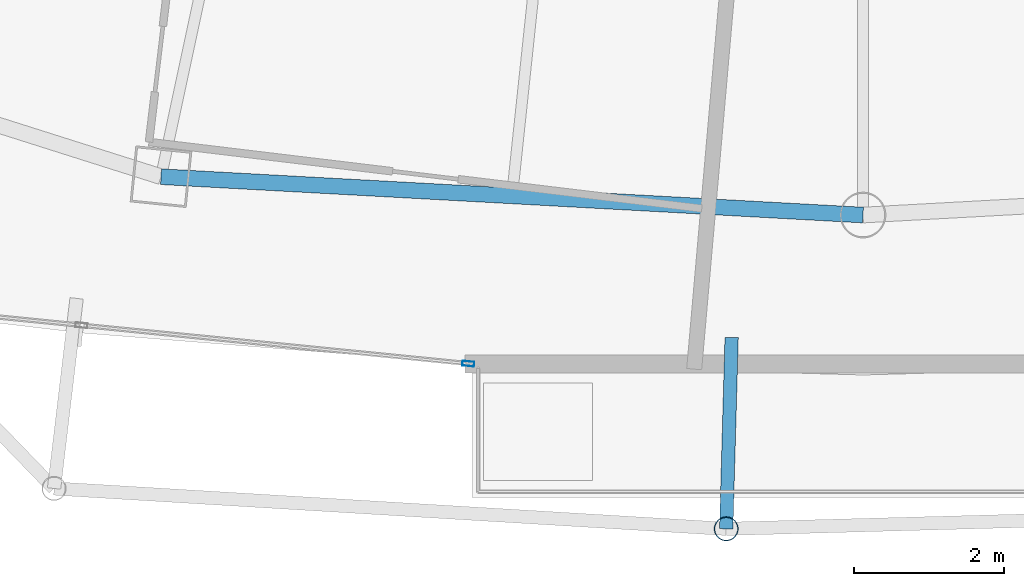
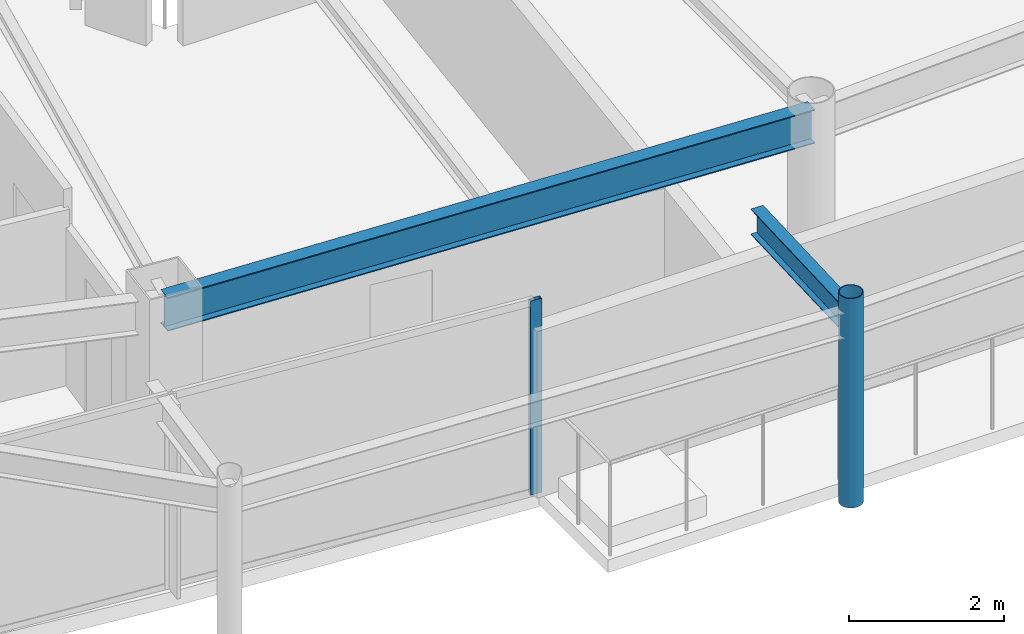
# One storey, part 7 of 32: 2 beams, 2 members, 1 element without a shape of its own.
"""IFC4 building model written with IfcOpenShell, lengths in metres."""

import ifcopenshell
import ifcopenshell.guid

model = None  # the IFC model being written
_history = None  # IfcOwnerHistory: only IFC2X3 demands one
_inside = {}  # id of a spatial element -> (the spatial element, [elements in it])
_under = {}  # id of a project, library or spatial element -> (it, [spatial elements below it])
_declared = {}  # id of a project -> (the project, [libraries it declares])
_typed = {}  # id of a type object -> (the type object, [elements of that type])
_made_of = {}  # id of a material, layer set ... -> (it, [elements and type objects made of it])


def new_model(schema):
    """Start an empty IFC model of exactly this schema.

    Asked for "IFC4X3", IfcOpenShell would pick the latest addendum, in which some entities
    have other attributes; the version numbers below select the first issue.
    IFC2X3 requires an IfcOwnerHistory on every rooted entity: one is made here for all.
    """
    global model, _history
    if schema == "IFC4X3":
        model = ifcopenshell.file(schema_version=(4, 3, 0, 0))
    else:
        model = ifcopenshell.file(schema=schema)
    _inside.clear()
    _under.clear()
    _declared.clear()
    _typed.clear()
    _made_of.clear()
    _history = None
    if model.schema == "IFC2X3":
        org = make("IfcOrganization", Name="unknown")
        user = make(
            "IfcPersonAndOrganization",
            ThePerson=make("IfcPerson", FamilyName="unknown"),
            TheOrganization=org,
        )
        app = make(
            "IfcApplication",
            ApplicationDeveloper=org,
            Version="unknown",
            ApplicationFullName="unknown",
            ApplicationIdentifier="unknown",
        )
        _history = make(
            "IfcOwnerHistory",
            OwningUser=user,
            OwningApplication=app,
            ChangeAction="ADDED",
            CreationDate=0,
        )
    return model


def make(cls, **values):
    """One entity of the class cls with the attributes given. An attribute that is None is left unset."""
    return model.create_entity(
        cls, **{name: value for name, value in values.items() if value is not None}
    )


def rooted(cls, **values):
    """An entity with a GlobalId (a new one), such as an element, a storey or a relation."""
    return make(cls, GlobalId=ifcopenshell.guid.new(), OwnerHistory=_history, **values)


def si_unit(unit_type, name, prefix=None):
    """IfcSIUnit, for example si_unit("LENGTHUNIT", "METRE", prefix="MILLI")."""
    return make("IfcSIUnit", UnitType=unit_type, Prefix=prefix, Name=name)


def assignment(units):
    """IfcUnitAssignment: the units of a project."""
    return None if units is None else make("IfcUnitAssignment", Units=units)


def point(xyz):
    """IfcCartesianPoint."""
    return None if xyz is None else make("IfcCartesianPoint", Coordinates=xyz)


def direction(xyz):
    """IfcDirection."""
    return None if xyz is None else make("IfcDirection", DirectionRatios=xyz)


def frame(location, z_axis=None, x_axis=None):
    """IfcAxis2Placement3D, a coordinate frame: its origin and axes. An axis left out is left unset."""
    return make(
        "IfcAxis2Placement3D",
        Location=point(location),
        Axis=direction(z_axis),
        RefDirection=direction(x_axis),
    )


def frame_2d(location, x_axis=None):
    """IfcAxis2Placement2D, a coordinate frame in the plane: its origin and x axis."""
    return make(
        "IfcAxis2Placement2D", Location=point(location), RefDirection=direction(x_axis)
    )


def origin():
    """The frame at (0, 0, 0) with its axes left unset."""
    return frame((0.0, 0.0, 0.0))


def origin_2d():
    """The frame at (0, 0) in the plane with its x axis left unset."""
    return frame_2d((0.0, 0.0))


def place(relative_to, where):
    """IfcLocalPlacement: puts the frame where relative to a parent placement (None: the world)."""
    return make(
        "IfcLocalPlacement", PlacementRelTo=relative_to, RelativePlacement=where
    )


def context(
    kind, dimensions, precision=None, world=None, true_north=None, identifier=None
):
    """IfcGeometricRepresentationContext, for example the 3D "Model" context."""
    return make(
        "IfcGeometricRepresentationContext",
        ContextIdentifier=identifier,
        ContextType=kind,
        CoordinateSpaceDimension=dimensions,
        Precision=precision,
        WorldCoordinateSystem=world,
        TrueNorth=true_north,
    )


def subcontext(parent, identifier, kind, view, scale=None):
    """IfcGeometricRepresentationSubContext, for example "Body" below "Model"."""
    return make(
        "IfcGeometricRepresentationSubContext",
        ContextIdentifier=identifier,
        ContextType=kind,
        ParentContext=parent,
        TargetScale=scale,
        TargetView=view,
    )


def project(units=None, contexts=None):
    """IfcProject with its units and contexts."""
    return rooted(
        "IfcProject",
        Name="project",
        RepresentationContexts=contexts,
        UnitsInContext=assignment(units),
    )


def spatial(cls, under=None, at=None, **own):
    """A site, building, storey or space (cls), placed at a placement, below another one or the project."""
    s = rooted(cls, ObjectPlacement=at, **own)
    if under is not None:
        _under.setdefault(under.id(), (under, []))[1].append(s)
    return s


def profile(cls, at=None, kind="AREA", **sizes):
    """A parametric profile (cls). Its sizes go by their IFC names, for example OverallWidth=200.0."""
    return make(cls, ProfileType=kind, Position=at, **sizes)


def hollow_rectangle(**sizes):
    """IfcRectangleHollowProfileDef."""
    return profile("IfcRectangleHollowProfileDef", **sizes)


def hollow_circle(**sizes):
    """IfcCircleHollowProfileDef."""
    return profile("IfcCircleHollowProfileDef", **sizes)


def i_section(**sizes):
    """IfcIShapeProfileDef."""
    return profile("IfcIShapeProfileDef", **sizes)


def extrude(swept, where, along, depth):
    """IfcExtrudedAreaSolid: the profile swept, set in the frame where, extruded along a direction by depth."""
    return make(
        "IfcExtrudedAreaSolid",
        SweptArea=swept,
        Position=where,
        ExtrudedDirection=direction(along),
        Depth=depth,
    )


def shape(context_of_items, identifier, shape_type, items):
    """IfcShapeRepresentation: the items that make up one representation, for example the "Body"."""
    return make(
        "IfcShapeRepresentation",
        ContextOfItems=context_of_items,
        RepresentationIdentifier=identifier,
        RepresentationType=shape_type,
        Items=items,
    )


def material(Name=None, Category=None):
    """IfcMaterial."""
    return make("IfcMaterial", Name=Name, Category=Category)


def layer(
    of_material, thickness, ventilated=None, Name=None, Category=None, Priority=None
):
    """IfcMaterialLayer: one layer of a wall or slab, of a material (None: an air gap)."""
    return make(
        "IfcMaterialLayer",
        Material=of_material,
        LayerThickness=thickness,
        IsVentilated=ventilated,
        Name=Name,
        Category=Category,
        Priority=Priority,
    )


def layer_set(layers, Name=None):
    """IfcMaterialLayerSet."""
    return make("IfcMaterialLayerSet", MaterialLayers=layers, LayerSetName=Name)


def material_profile(
    of_material, cross_section, Name=None, Category=None, Priority=None
):
    """IfcMaterialProfile: a cross section and its material."""
    return make(
        "IfcMaterialProfile",
        Name=Name,
        Material=of_material,
        Profile=cross_section,
        Priority=Priority,
        Category=Category,
    )


def profile_set(profiles, Name=None, composite=None):
    """IfcMaterialProfileSet."""
    return make(
        "IfcMaterialProfileSet",
        Name=Name,
        MaterialProfiles=profiles,
        CompositeProfile=composite,
    )


def made_of(thing, what):
    """Note that an element or type object is made of a material, layer set ...; save() writes the relation."""
    if what is not None:
        _made_of.setdefault(what.id(), (what, []))[1].append(thing)
    return thing


def type_object(cls, material=None, **own):
    """A type object (cls), such as IfcWallType, which elements share."""
    return made_of(rooted(cls, **own), material)


def element(
    cls,
    number,
    at=None,
    inside=None,
    cuts=None,
    type_object=None,
    material=None,
    context=None,
    identifier="Body",
    shape_type=None,
    held_by="IfcProductDefinitionShape",
    body=None,
    shapes=None,
    **own,
):
    """One element of the class cls, such as IfcWall. Its Tag is "e" and its number.

    at: its placement. inside: the storey or other place that contains it. cuts: it is an
    opening in that element (IfcRelVoidsElement). A single representation is given by context,
    identifier, shape_type and body (its items); several are given by shapes. held_by: the class
    of the entity that holds the representations. save() writes the other relations.
    """
    e = rooted(cls, Tag="e%d" % number, ObjectPlacement=at, **own)
    if body is not None:
        shapes = [shape(context, identifier, shape_type, body)]
    if shapes is not None:
        e.Representation = make(held_by, Representations=shapes)
    if inside is not None:
        _inside.setdefault(inside.id(), (inside, []))[1].append(e)
    if cuts is not None:
        rooted(
            "IfcRelVoidsElement", RelatingBuildingElement=cuts, RelatedOpeningElement=e
        )
    if type_object is not None:
        _typed.setdefault(type_object.id(), (type_object, []))[1].append(e)
    return made_of(e, material)


def aggregate(whole, parts):
    """IfcRelAggregates: a whole, such as a stair, and the parts it consists of."""
    return rooted("IfcRelAggregates", RelatingObject=whole, RelatedObjects=parts)


def save(model, path):
    """Write the relations noted so far, then the file.

    IfcRelAggregates (storeys below a building ...), IfcRelContainedInSpatialStructure (elements
    in a storey), IfcRelDefinesByType, IfcRelAssociatesMaterial and IfcRelDeclares: one each for
    every whole, place, type object, material and project.
    """
    for whole, parts in _under.values():
        aggregate(whole, parts)
    for where, things in _inside.values():
        rooted(
            "IfcRelContainedInSpatialStructure",
            RelatedElements=things,
            RelatingStructure=where,
        )
    for kind, things in _typed.values():
        rooted("IfcRelDefinesByType", RelatedObjects=things, RelatingType=kind)
    for what, things in _made_of.values():
        rooted("IfcRelAssociatesMaterial", RelatedObjects=things, RelatingMaterial=what)
    for by, libraries in _declared.values():
        rooted("IfcRelDeclares", RelatingContext=by, RelatedDefinitions=libraries)
    model.write(path)


model = new_model("IFC4")

# Units and contexts
model_context = context("Model", 3, precision=1e-05, world=origin(), true_north=direction((0.0, 1.0)))
body_context = subcontext(model_context, "Body", "Model", "MODEL_VIEW")
ifc_project = project(units=[si_unit("LENGTHUNIT", "METRE"), si_unit("AREAUNIT", "SQUARE_METRE"), si_unit("VOLUMEUNIT", "CUBIC_METRE"), si_unit("PLANEANGLEUNIT", "RADIAN"), si_unit("MASSUNIT", "GRAM", prefix="KILO")], contexts=[model_context])

# Site, building, storey
site_placement = place(None, origin())
site = spatial("IfcSite", under=ifc_project, at=site_placement, CompositionType="ELEMENT")
building_placement = place(site_placement, origin())
building = spatial("IfcBuilding", under=site, at=building_placement, Name="Orvanel Arch Residences", CompositionType="ELEMENT")
storey_placement = place(building_placement, frame((0.0, 0.0, 216.199951171875)))
storey = spatial("IfcBuildingStorey", under=building, at=storey_placement, Name="L61", CompositionType="ELEMENT", Elevation=216.199951171875)

# Curtain wall, member
ifc_material_1 = material(Name="Bronze-anodised aluminium AA6063-T6", Category="aluminium")
ifc_layer = layer(ifc_material_1, 0.175048828125)
ifc_layer_set = layer_set([ifc_layer], Name="Bronze-anodised aluminium AA6063-T6")
curtain_wall_type = type_object("IfcCurtainWallType", Name="CW4-HI-SYS", PredefinedType="NOTDEFINED", material=ifc_layer_set)
curtain_wall_placement = place(storey_placement, origin())
curtain_wall = element("IfcCurtainWall", 1, at=curtain_wall_placement, inside=storey, type_object=curtain_wall_type, Name="L61 CW4-HI-SYS Unitised Curtain Wall", PredefinedType="NOTDEFINED")
ifc_material_profile_1 = material_profile(ifc_material_1, hollow_rectangle(XDim=0.06494140625, YDim=0.159912109375, WallThickness=0.00390625, at=origin_2d()), Name="ALU160x65x4")
ifc_profile_set_1 = profile_set([ifc_material_profile_1], Name="Bronze-anodised aluminium AA6063-T6")
member_type_1 = type_object("IfcMemberType", Name="MUL-160x65", PredefinedType="MULLION", material=ifc_profile_set_1)
member_1_placement = place(storey_placement, frame((27.74169921875, 4.8642578125, 0.0), z_axis=(0.0, 0.0, 1.0), x_axis=(0.098838628636, 0.995103474765, 0.0)))
member_1 = element("IfcMember", 2, at=member_1_placement, type_object=member_type_1, Name="CW-S4 mullion 3", PredefinedType="MULLION", context=body_context, shape_type="SweptSolid", body=[
    extrude(hollow_rectangle(XDim=0.06494140625, YDim=0.159912109375, WallThickness=0.00390625, at=origin_2d()), origin(), (0.0, 0.0, 1.0), 3.06005859375),
])
aggregate(curtain_wall, [member_1])

# Beams
ifc_material_2 = material(Name="Structural steel AS/NZS 3679.1 Grade 300 (300 MPa)", Category="steel")
ifc_material_profile_2 = material_profile(ifc_material_2, i_section(OverallWidth=0.177978515625, OverallDepth=0.406005859375, WebThickness=0.0078125, FlangeThickness=0.0126953125, at=origin_2d()), Name="410UB59.7")
ifc_profile_set_2 = profile_set([ifc_material_profile_2], Name="Structural steel AS/NZS 3679.1 Grade 300 (300 MPa)")
beam_type_1 = type_object("IfcBeamType", Name="OB-410UB-EXT", PredefinedType="SPANDREL", material=ifc_profile_set_2)
beam_1_placement = place(storey_placement, frame((31.25, 5.212890625, 2.85693359375), z_axis=(-0.02824543107, -0.999601018219, 0.0), x_axis=(0.999601018219, -0.02824543107, 0.0)))
element("IfcBeam", 3, at=beam_1_placement, inside=storey, type_object=beam_type_1, Name="L61 Outer Frame Radial Tie Beam 06", PredefinedType="SPANDREL", context=body_context, shape_type="SweptSolid", body=[
    extrude(i_section(OverallWidth=0.177978515625, OverallDepth=0.406005859375, WebThickness=0.0078125, FlangeThickness=0.0126953125, at=origin_2d()), origin(), (0.0, 0.0, 1.0), 2.5498046875),
])
ifc_material_profile_3 = material_profile(ifc_material_2, i_section(OverallWidth=0.208984375, OverallDepth=0.532958984375, WebThickness=0.01025390625, FlangeThickness=0.015625, at=origin_2d()), Name="530UB92.4")
ifc_profile_set_3 = profile_set([ifc_material_profile_3], Name="Structural steel AS/NZS 3679.1 Grade 300 (300 MPa)")
beam_type_2 = type_object("IfcBeamType", Name="SP-530UB", PredefinedType="SPANDREL", material=ifc_profile_set_3)
beam_2_placement = place(storey_placement, frame((23.64892578125, 7.35498046875, 2.79296875), z_axis=(0.998510315598, -0.054563262768, 0.0), x_axis=(0.054563262768, 0.998510315598, 0.0)))
element("IfcBeam", 4, at=beam_2_placement, inside=storey, type_object=beam_type_2, Name="L61 Perimeter Spandrel Beam 03", PredefinedType="SPANDREL", context=body_context, shape_type="SweptSolid", body=[
    extrude(i_section(OverallWidth=0.208984375, OverallDepth=0.532958984375, WebThickness=0.01025390625, FlangeThickness=0.015625, at=origin_2d()), origin(), (0.0, 0.0, 1.0), 9.364990234375),
])

# Member
ifc_material_3 = material(Name="Structural steel AS/NZS 1163 C350L0 (Grade 350)", Category="steel")
ifc_material_profile_4 = material_profile(ifc_material_3, hollow_circle(Radius=0.162109375, WallThickness=0.0126953125, at=origin_2d()), Name="CHS324x12.7")
ifc_profile_set_4 = profile_set([ifc_material_profile_4], Name="Structural steel AS/NZS 1163 C350L0 (Grade 350)")
member_type_2 = type_object("IfcMemberType", Name="ST-324CHS-EXT", PredefinedType="STRUT", material=ifc_profile_set_4)
member_2_placement = place(storey_placement, frame((31.177978515625, 2.6640625, 0.0), z_axis=(0.0, 0.0, 1.0), x_axis=(1.0, 0.0, 0.0)))
element("IfcMember", 5, at=member_2_placement, inside=storey, type_object=member_type_2, Name="L61 Outer Perimeter Frame Post 06", PredefinedType="STRUT", context=body_context, shape_type="SweptSolid", body=[
    extrude(hollow_circle(Radius=0.162109375, WallThickness=0.0126953125, at=origin_2d()), origin(), (0.0, 0.0, 1.0), 3.300048828125),
])

save(model, "model.ifc")
